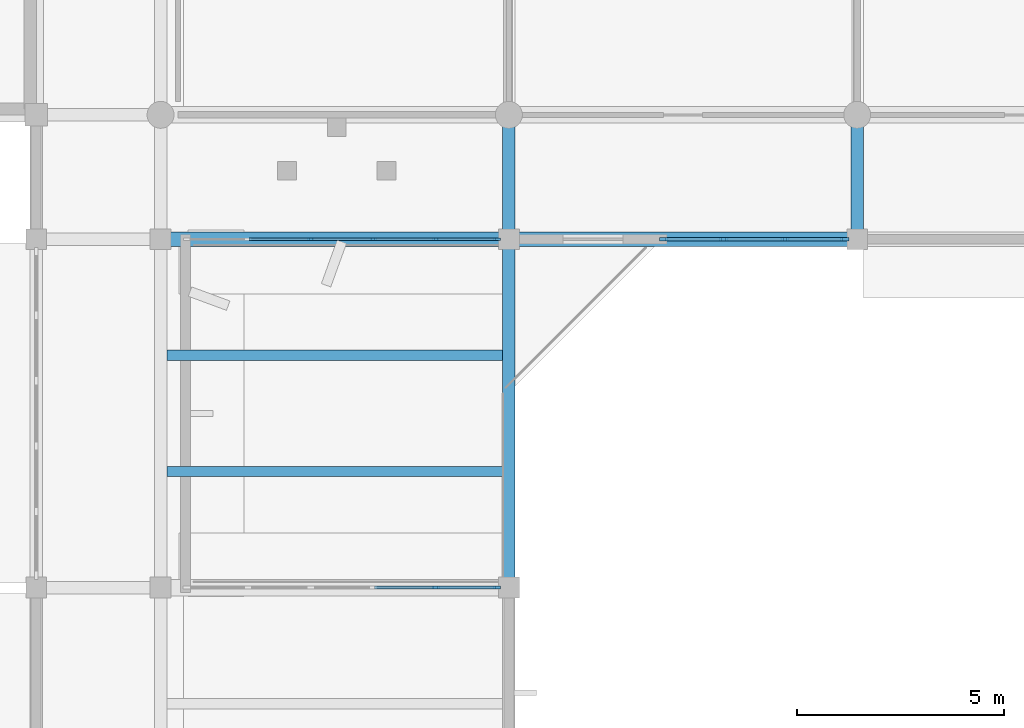
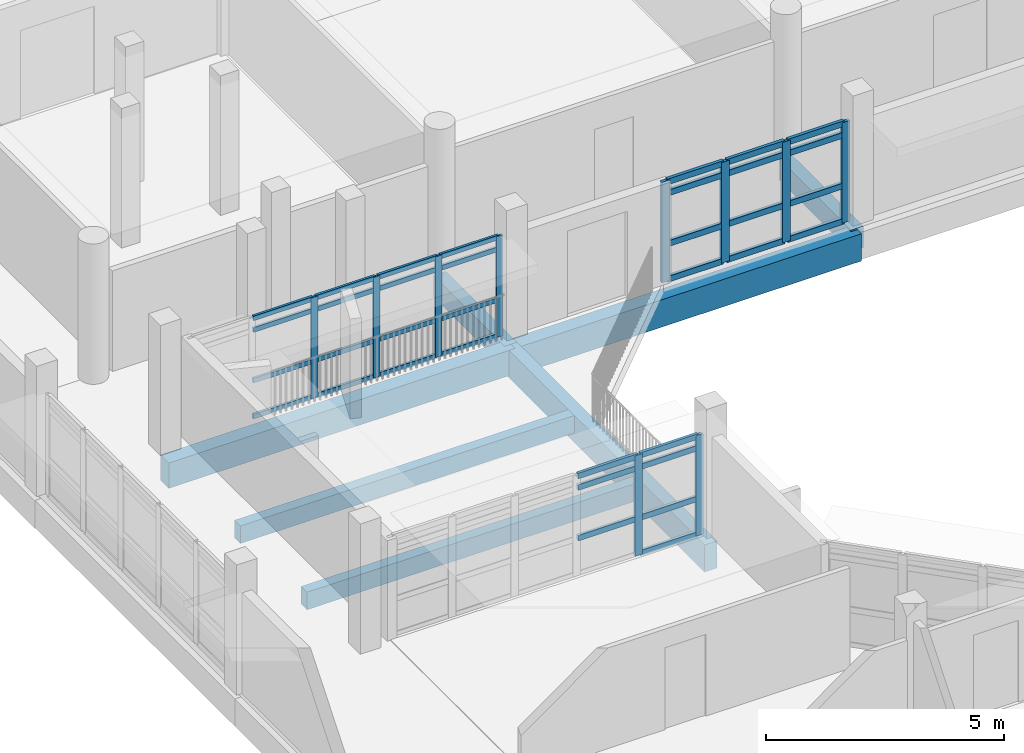
# One storey, part 18 of 92: 45 members, 7 beams, 3 elements without a shape of their own.
"""IFC4 building model written with IfcOpenShell, lengths in metres."""

from ifc_helpers import new_model, si_unit, direction, frame, origin, origin_2d, place, context, subcontext, project, spatial, rectangle, extrude, material, material_profile, profile_set, type_object, element, aggregate, save


model = new_model("IFC4")

# Units and contexts
model_context = context("Model", 3, precision=1e-05, world=origin(), true_north=direction((0.0, 1.0)))
body_context = subcontext(model_context, "Body", "Model", "MODEL_VIEW")
ifc_project = project(units=[si_unit("LENGTHUNIT", "METRE"), si_unit("AREAUNIT", "SQUARE_METRE"), si_unit("VOLUMEUNIT", "CUBIC_METRE"), si_unit("PLANEANGLEUNIT", "RADIAN"), si_unit("MASSUNIT", "GRAM", prefix="KILO")], contexts=[model_context])

# Site, building, storey
site_placement = place(None, origin())
site = spatial("IfcSite", under=ifc_project, at=site_placement, CompositionType="ELEMENT")
building_placement = place(site_placement, origin())
building = spatial("IfcBuilding", under=site, at=building_placement, Name="Vanh Quang Courtyard School", CompositionType="ELEMENT")
storey_placement = place(building_placement, frame((0.0, 0.0, 7.800048828125)))
storey = spatial("IfcBuildingStorey", under=building, at=storey_placement, Name="L02", CompositionType="ELEMENT", Elevation=7.800048828125)

# Beams
ifc_material_1 = material(Name="Concrete C35/45", Category="concrete")
ifc_material_profile_1 = material_profile(ifc_material_1, rectangle(XDim=0.300048828125, YDim=0.550048828125, at=origin_2d()), Name="RC-BM 300x550")
ifc_profile_set_1 = profile_set([ifc_material_profile_1], Name="Concrete C35/45")
beam_type_1 = type_object("IfcBeamType", Name="BM-RC-300x550", PredefinedType="BEAM", material=ifc_profile_set_1)
for number, where, z_axis, x_axis, name in (
    (1, (85.800048828125, 29.39990234375, -0.594970703125), (0.0, 1.0, 0.0), (-1.0, 0.0, 0.0), "Beam B-07 (L02)"),
    (2, (94.199951171875, 29.39990234375, -0.554931640625), (0.0, 1.0, 0.0), (-1.0, 0.0, 0.0), "Beam B-07 (L02)"),
):
    element("IfcBeam", number, at=place(storey_placement, frame(where, z_axis=z_axis, x_axis=x_axis)), inside=storey, type_object=beam_type_1, Name=name, PredefinedType="BEAM", context=body_context, shape_type="SweptSolid", body=[
        extrude(rectangle(XDim=0.300048828125, YDim=0.550048828125, at=origin_2d()), origin(), (0.0, 0.0, 1.0), 3.0),
    ])
ifc_material_profile_2 = material_profile(ifc_material_1, rectangle(XDim=0.35009765625, YDim=0.64990234375, at=origin_2d()), Name="RC-BM 350x650")
ifc_profile_set_2 = profile_set([ifc_material_profile_2], Name="Concrete C35/45")
beam_type_2 = type_object("IfcBeamType", Name="BM-RC-350x650", PredefinedType="BEAM", material=ifc_profile_set_2)
beam_1_placement = place(storey_placement, frame((77.39990234375, 29.39990234375, -0.64501953125), z_axis=(1.0, 0.0, 0.0), x_axis=(0.0, 1.0, 0.0)))
element("IfcBeam", 3, at=beam_1_placement, inside=storey, type_object=beam_type_2, Name="Beam B-05 (L02)", PredefinedType="BEAM", context=body_context, shape_type="SweptSolid", body=[
    extrude(rectangle(XDim=0.35009765625, YDim=0.64990234375, at=origin_2d()), origin(), (0.0, 0.0, 1.0), 8.400146484375),
])
ifc_material_profile_3 = material_profile(ifc_material_1, rectangle(XDim=0.35009765625, YDim=0.699951171875, at=origin_2d()), Name="RC-BM 350x700")
ifc_profile_set_3 = profile_set([ifc_material_profile_3], Name="Concrete C35/45")
beam_type_3 = type_object("IfcBeamType", Name="BM-RC-350x700", PredefinedType="BEAM", material=ifc_profile_set_3)
beam_2_placement = place(storey_placement, frame((85.800048828125, 29.39990234375, -0.670166015625), z_axis=(1.0, 0.0, 0.0), x_axis=(0.0, 1.0, 0.0)))
element("IfcBeam", 4, at=beam_2_placement, inside=storey, type_object=beam_type_3, Name="Beam B-04 (L02)", PredefinedType="BEAM", context=body_context, shape_type="SweptSolid", body=[
    extrude(rectangle(XDim=0.35009765625, YDim=0.699951171875, at=origin_2d()), origin(), (0.0, 0.0, 1.0), 8.39990234375),
])
ifc_material_profile_4 = material_profile(ifc_material_1, rectangle(XDim=0.300048828125, YDim=0.699951171875, at=origin_2d()), Name="RC-SP 300x700")
ifc_profile_set_4 = profile_set([ifc_material_profile_4], Name="Concrete C35/45")
beam_type_4 = type_object("IfcBeamType", Name="BM-SP-300x700", PredefinedType="SPANDREL", material=ifc_profile_set_4)
beam_3_placement = place(storey_placement, frame((85.800048828125, 21.0, -0.670166015625), z_axis=(0.0, 1.0, 0.0), x_axis=(-1.0, 0.0, 0.0)))
element("IfcBeam", 5, at=beam_3_placement, inside=storey, type_object=beam_type_4, Name="Beam BS-01 (L02)", PredefinedType="SPANDREL", context=body_context, shape_type="SweptSolid", body=[
    extrude(rectangle(XDim=0.300048828125, YDim=0.699951171875, at=origin_2d()), origin(), (0.0, 0.0, 1.0), 8.39990234375),
])

# Curtain wall, members
ifc_material_2 = material(Name="Thermally broken aluminium unitised curtain wall", Category="aluminium")
curtain_wall_type_1 = type_object("IfcCurtainWallType", Name="CW-SYS-47", PredefinedType="NOTDEFINED", material=ifc_material_2)
curtain_wall_1_placement = place(storey_placement, origin())
curtain_wall_1 = element("IfcCurtainWall", 6, at=curtain_wall_1_placement, inside=storey, type_object=curtain_wall_type_1, Name="Curtain Wall CW-47 (L02)", PredefinedType="NOTDEFINED")
ifc_material_3 = material(Name="Anodised aluminium 6063-T6", Category="aluminium")
ifc_material_profile_5 = material_profile(ifc_material_3, rectangle(XDim=0.06005859375, YDim=0.159912109375, at=origin_2d()), Name="ALU-MUL 60x160")
ifc_profile_set_5 = profile_set([ifc_material_profile_5], Name="Anodised aluminium 6063-T6")
member_type_1 = type_object("IfcMemberType", Name="CW-MUL-60x160", PredefinedType="MULLION", material=ifc_profile_set_5)
member_1_placement = place(storey_placement, frame((85.511962890625, 29.39990234375, 0.0), z_axis=(0.0, 0.0, 1.0), x_axis=(0.0, -1.0, 0.0)))
member_1 = element("IfcMember", 7, at=member_1_placement, type_object=member_type_1, Name="CW-47 mullion 1", PredefinedType="MULLION", context=body_context, shape_type="SweptSolid", body=[
    extrude(rectangle(XDim=0.06005859375, YDim=0.159912109375, at=origin_2d()), origin(), (0.0, 0.0, 1.0), 2.579833984375),
])
member_2_placement = place(storey_placement, frame((84.03369140625, 29.39990234375, 0.0), z_axis=(0.0, 0.0, 1.0), x_axis=(0.0, -1.0, 0.0)))
member_2 = element("IfcMember", 8, at=member_2_placement, type_object=member_type_1, Name="CW-47 mullion 2", PredefinedType="MULLION", context=body_context, shape_type="SweptSolid", body=[
    extrude(rectangle(XDim=0.06005859375, YDim=0.159912109375, at=origin_2d()), origin(), (0.0, 0.0, 1.0), 2.579833984375),
])
member_3_placement = place(storey_placement, frame((82.525146484375, 29.39990234375, 0.0), z_axis=(0.0, 0.0, 1.0), x_axis=(0.0, -1.0, 0.0)))
member_3 = element("IfcMember", 9, at=member_3_placement, type_object=member_type_1, Name="CW-47 mullion 3", PredefinedType="MULLION", context=body_context, shape_type="SweptSolid", body=[
    extrude(rectangle(XDim=0.06005859375, YDim=0.159912109375, at=origin_2d()), origin(), (0.0, 0.0, 1.0), 2.579833984375),
])
member_4_placement = place(storey_placement, frame((81.016845703125, 29.39990234375, 0.0), z_axis=(0.0, 0.0, 1.0), x_axis=(0.0, -1.0, 0.0)))
member_4 = element("IfcMember", 10, at=member_4_placement, type_object=member_type_1, Name="CW-47 mullion 4", PredefinedType="MULLION", context=body_context, shape_type="SweptSolid", body=[
    extrude(rectangle(XDim=0.06005859375, YDim=0.159912109375, at=origin_2d()), origin(), (0.0, 0.0, 1.0), 2.579833984375),
])

curtain_wall_2_placement = place(storey_placement, origin())
curtain_wall_2 = element("IfcCurtainWall", 11, at=curtain_wall_2_placement, inside=storey, type_object=curtain_wall_type_1, Name="Curtain Wall CW-47 (L02)", PredefinedType="NOTDEFINED")
ifc_material_profile_6 = material_profile(ifc_material_3, rectangle(XDim=0.070068359375, YDim=0.179931640625, at=origin_2d()), Name="ALU-MUL 70x180")
ifc_profile_set_6 = profile_set([ifc_material_profile_6], Name="Anodised aluminium 6063-T6")
member_type_2 = type_object("IfcMemberType", Name="CW-MUL-70x180", PredefinedType="MULLION", material=ifc_profile_set_6)
member_5_placement = place(storey_placement, frame((84.03369140625, 21.0, 0.0), z_axis=(0.0, 0.0, 1.0), x_axis=(0.0, 1.0, 0.0)))
member_5 = element("IfcMember", 12, at=member_5_placement, type_object=member_type_2, Name="CW-47 mullion 5", PredefinedType="MULLION", context=body_context, shape_type="SweptSolid", body=[
    extrude(rectangle(XDim=0.070068359375, YDim=0.179931640625, at=origin_2d()), origin(), (0.0, 0.0, 1.0), 2.579833984375),
])
member_6_placement = place(storey_placement, frame((85.507080078125, 21.0, 0.0), z_axis=(0.0, 0.0, 1.0), x_axis=(0.0, 1.0, 0.0)))
member_6 = element("IfcMember", 13, at=member_6_placement, type_object=member_type_2, Name="CW-47 mullion 6", PredefinedType="MULLION", context=body_context, shape_type="SweptSolid", body=[
    extrude(rectangle(XDim=0.070068359375, YDim=0.179931640625, at=origin_2d()), origin(), (0.0, 0.0, 1.0), 2.579833984375),
])

curtain_wall_type_2 = type_object("IfcCurtainWallType", Name="CW-SYS-38", PredefinedType="NOTDEFINED", material=ifc_material_2)
curtain_wall_3_placement = place(storey_placement, origin())
curtain_wall_3 = element("IfcCurtainWall", 14, at=curtain_wall_3_placement, inside=storey, type_object=curtain_wall_type_2, Name="Curtain Wall CW-38 (L02)", PredefinedType="NOTDEFINED")
ifc_material_profile_7 = material_profile(ifc_material_3, rectangle(XDim=0.080078125, YDim=0.199951171875, at=origin_2d()), Name="ALU-MUL 80x200")
ifc_profile_set_7 = profile_set([ifc_material_profile_7], Name="Anodised aluminium 6063-T6")
member_type_3 = type_object("IfcMemberType", Name="CW-MUL-80x200", PredefinedType="MULLION", material=ifc_profile_set_7)
member_7_placement = place(storey_placement, frame((93.902099609375, 29.39990234375, 0.0), z_axis=(0.0, 0.0, 1.0), x_axis=(0.0, -1.0, 0.0)))
member_7 = element("IfcMember", 15, at=member_7_placement, type_object=member_type_3, Name="CW-38 mullion 1", PredefinedType="MULLION", context=body_context, shape_type="SweptSolid", body=[
    extrude(rectangle(XDim=0.080078125, YDim=0.199951171875, at=origin_2d()), origin(), (0.0, 0.0, 1.0), 2.579833984375),
])
member_8_placement = place(storey_placement, frame((92.4599609375, 29.39990234375, 0.0), z_axis=(0.0, 0.0, 1.0), x_axis=(0.0, -1.0, 0.0)))
member_8 = element("IfcMember", 16, at=member_8_placement, type_object=member_type_3, Name="CW-38 mullion 2", PredefinedType="MULLION", context=body_context, shape_type="SweptSolid", body=[
    extrude(rectangle(XDim=0.080078125, YDim=0.199951171875, at=origin_2d()), origin(), (0.0, 0.0, 1.0), 2.579833984375),
])
member_9_placement = place(storey_placement, frame((90.97802734375, 29.39990234375, 0.0), z_axis=(0.0, 0.0, 1.0), x_axis=(0.0, -1.0, 0.0)))
member_9 = element("IfcMember", 17, at=member_9_placement, type_object=member_type_3, Name="CW-38 mullion 3", PredefinedType="MULLION", context=body_context, shape_type="SweptSolid", body=[
    extrude(rectangle(XDim=0.080078125, YDim=0.199951171875, at=origin_2d()), origin(), (0.0, 0.0, 1.0), 2.579833984375),
])
member_10_placement = place(storey_placement, frame((89.535888671875, 29.39990234375, 0.0), z_axis=(0.0, 0.0, 1.0), x_axis=(0.0, -1.0, 0.0)))
member_10 = element("IfcMember", 18, at=member_10_placement, type_object=member_type_3, Name="CW-38 mullion 4", PredefinedType="MULLION", context=body_context, shape_type="SweptSolid", body=[
    extrude(rectangle(XDim=0.080078125, YDim=0.199951171875, at=origin_2d()), origin(), (0.0, 0.0, 1.0), 2.579833984375),
])

# Member
ifc_material_profile_8 = material_profile(ifc_material_3, rectangle(XDim=0.06005859375, YDim=0.1201171875, at=origin_2d()), Name="ALU-TRN 60x120")
ifc_profile_set_8 = profile_set([ifc_material_profile_8], Name="Anodised aluminium 6063-T6")
member_type_4 = type_object("IfcMemberType", Name="CW-TRN-60x120", PredefinedType="USERDEFINED", material=ifc_profile_set_8)
member_11_placement = place(storey_placement, frame((85.48193359375, 29.39990234375, 0.030029296875), z_axis=(-1.0, 0.0, 0.0), x_axis=(0.0, -1.0, 0.0)))
member_11 = element("IfcMember", 19, at=member_11_placement, type_object=member_type_4, Name="CW-47 transom 1.1", ObjectType="TRANSOM", PredefinedType="USERDEFINED", context=body_context, shape_type="SweptSolid", body=[
    extrude(rectangle(XDim=0.06005859375, YDim=0.1201171875, at=origin_2d()), origin(), (0.0, 0.0, 1.0), 1.418212890625),
])

member_12_placement = place(storey_placement, frame((85.48193359375, 29.39990234375, 0.949951171875), z_axis=(-1.0, 0.0, 0.0), x_axis=(0.0, -1.0, 0.0)))
member_12 = element("IfcMember", 20, at=member_12_placement, type_object=member_type_4, Name="CW-47 transom 1.2", ObjectType="TRANSOM", PredefinedType="USERDEFINED", context=body_context, shape_type="SweptSolid", body=[
    extrude(rectangle(XDim=0.06005859375, YDim=0.1201171875, at=origin_2d()), origin(), (0.0, 0.0, 1.0), 1.418212890625),
])

member_13_placement = place(storey_placement, frame((85.48193359375, 29.39990234375, 2.25), z_axis=(-1.0, 0.0, 0.0), x_axis=(0.0, -1.0, 0.0)))
member_13 = element("IfcMember", 21, at=member_13_placement, type_object=member_type_4, Name="CW-47 transom 1.3", ObjectType="TRANSOM", PredefinedType="USERDEFINED", context=body_context, shape_type="SweptSolid", body=[
    extrude(rectangle(XDim=0.06005859375, YDim=0.1201171875, at=origin_2d()), origin(), (0.0, 0.0, 1.0), 1.418212890625),
])

member_14_placement = place(storey_placement, frame((85.48193359375, 29.39990234375, 2.550048828125), z_axis=(-1.0, 0.0, 0.0), x_axis=(0.0, -1.0, 0.0)))
member_14 = element("IfcMember", 22, at=member_14_placement, type_object=member_type_4, Name="CW-47 transom 1.4", ObjectType="TRANSOM", PredefinedType="USERDEFINED", context=body_context, shape_type="SweptSolid", body=[
    extrude(rectangle(XDim=0.06005859375, YDim=0.1201171875, at=origin_2d()), origin(), (0.0, 0.0, 1.0), 1.418212890625),
])

member_15_placement = place(storey_placement, frame((84.003662109375, 29.39990234375, 0.030029296875), z_axis=(-1.0, 0.0, 0.0), x_axis=(0.0, -1.0, 0.0)))
member_15 = element("IfcMember", 23, at=member_15_placement, type_object=member_type_4, Name="CW-47 transom 2.1", ObjectType="TRANSOM", PredefinedType="USERDEFINED", context=body_context, shape_type="SweptSolid", body=[
    extrude(rectangle(XDim=0.06005859375, YDim=0.1201171875, at=origin_2d()), origin(), (0.0, 0.0, 1.0), 1.448486328125),
])

member_16_placement = place(storey_placement, frame((84.003662109375, 29.39990234375, 0.949951171875), z_axis=(-1.0, 0.0, 0.0), x_axis=(0.0, -1.0, 0.0)))
member_16 = element("IfcMember", 24, at=member_16_placement, type_object=member_type_4, Name="CW-47 transom 2.2", ObjectType="TRANSOM", PredefinedType="USERDEFINED", context=body_context, shape_type="SweptSolid", body=[
    extrude(rectangle(XDim=0.06005859375, YDim=0.1201171875, at=origin_2d()), origin(), (0.0, 0.0, 1.0), 1.448486328125),
])

member_17_placement = place(storey_placement, frame((84.003662109375, 29.39990234375, 2.25), z_axis=(-1.0, 0.0, 0.0), x_axis=(0.0, -1.0, 0.0)))
member_17 = element("IfcMember", 25, at=member_17_placement, type_object=member_type_4, Name="CW-47 transom 2.3", ObjectType="TRANSOM", PredefinedType="USERDEFINED", context=body_context, shape_type="SweptSolid", body=[
    extrude(rectangle(XDim=0.06005859375, YDim=0.1201171875, at=origin_2d()), origin(), (0.0, 0.0, 1.0), 1.448486328125),
])

member_18_placement = place(storey_placement, frame((84.003662109375, 29.39990234375, 2.550048828125), z_axis=(-1.0, 0.0, 0.0), x_axis=(0.0, -1.0, 0.0)))
member_18 = element("IfcMember", 26, at=member_18_placement, type_object=member_type_4, Name="CW-47 transom 2.4", ObjectType="TRANSOM", PredefinedType="USERDEFINED", context=body_context, shape_type="SweptSolid", body=[
    extrude(rectangle(XDim=0.06005859375, YDim=0.1201171875, at=origin_2d()), origin(), (0.0, 0.0, 1.0), 1.448486328125),
])

member_19_placement = place(storey_placement, frame((82.4951171875, 29.39990234375, 0.030029296875), z_axis=(-1.0, 0.0, 0.0), x_axis=(0.0, -1.0, 0.0)))
member_19 = element("IfcMember", 27, at=member_19_placement, type_object=member_type_4, Name="CW-47 transom 3.1", ObjectType="TRANSOM", PredefinedType="USERDEFINED", context=body_context, shape_type="SweptSolid", body=[
    extrude(rectangle(XDim=0.06005859375, YDim=0.1201171875, at=origin_2d()), origin(), (0.0, 0.0, 1.0), 1.4482421875),
])

member_20_placement = place(storey_placement, frame((82.4951171875, 29.39990234375, 0.949951171875), z_axis=(-1.0, 0.0, 0.0), x_axis=(0.0, -1.0, 0.0)))
member_20 = element("IfcMember", 28, at=member_20_placement, type_object=member_type_4, Name="CW-47 transom 3.2", ObjectType="TRANSOM", PredefinedType="USERDEFINED", context=body_context, shape_type="SweptSolid", body=[
    extrude(rectangle(XDim=0.06005859375, YDim=0.1201171875, at=origin_2d()), origin(), (0.0, 0.0, 1.0), 1.4482421875),
])

member_21_placement = place(storey_placement, frame((82.4951171875, 29.39990234375, 2.25), z_axis=(-1.0, 0.0, 0.0), x_axis=(0.0, -1.0, 0.0)))
member_21 = element("IfcMember", 29, at=member_21_placement, type_object=member_type_4, Name="CW-47 transom 3.3", ObjectType="TRANSOM", PredefinedType="USERDEFINED", context=body_context, shape_type="SweptSolid", body=[
    extrude(rectangle(XDim=0.06005859375, YDim=0.1201171875, at=origin_2d()), origin(), (0.0, 0.0, 1.0), 1.4482421875),
])

member_22_placement = place(storey_placement, frame((82.4951171875, 29.39990234375, 2.550048828125), z_axis=(-1.0, 0.0, 0.0), x_axis=(0.0, -1.0, 0.0)))
member_22 = element("IfcMember", 30, at=member_22_placement, type_object=member_type_4, Name="CW-47 transom 3.4", ObjectType="TRANSOM", PredefinedType="USERDEFINED", context=body_context, shape_type="SweptSolid", body=[
    extrude(rectangle(XDim=0.06005859375, YDim=0.1201171875, at=origin_2d()), origin(), (0.0, 0.0, 1.0), 1.4482421875),
])

member_23_placement = place(storey_placement, frame((80.98681640625, 29.39990234375, 0.030029296875), z_axis=(-1.0, 0.0, 0.0), x_axis=(0.0, -1.0, 0.0)))
member_23 = element("IfcMember", 31, at=member_23_placement, type_object=member_type_4, Name="CW-47 transom 4.1", ObjectType="TRANSOM", PredefinedType="USERDEFINED", context=body_context, shape_type="SweptSolid", body=[
    extrude(rectangle(XDim=0.06005859375, YDim=0.1201171875, at=origin_2d()), origin(), (0.0, 0.0, 1.0), 1.448486328125),
])

member_24_placement = place(storey_placement, frame((80.98681640625, 29.39990234375, 0.949951171875), z_axis=(-1.0, 0.0, 0.0), x_axis=(0.0, -1.0, 0.0)))
member_24 = element("IfcMember", 32, at=member_24_placement, type_object=member_type_4, Name="CW-47 transom 4.2", ObjectType="TRANSOM", PredefinedType="USERDEFINED", context=body_context, shape_type="SweptSolid", body=[
    extrude(rectangle(XDim=0.06005859375, YDim=0.1201171875, at=origin_2d()), origin(), (0.0, 0.0, 1.0), 1.448486328125),
])

member_25_placement = place(storey_placement, frame((80.98681640625, 29.39990234375, 2.25), z_axis=(-1.0, 0.0, 0.0), x_axis=(0.0, -1.0, 0.0)))
member_25 = element("IfcMember", 33, at=member_25_placement, type_object=member_type_4, Name="CW-47 transom 4.3", ObjectType="TRANSOM", PredefinedType="USERDEFINED", context=body_context, shape_type="SweptSolid", body=[
    extrude(rectangle(XDim=0.06005859375, YDim=0.1201171875, at=origin_2d()), origin(), (0.0, 0.0, 1.0), 1.448486328125),
])

member_26_placement = place(storey_placement, frame((80.98681640625, 29.39990234375, 2.550048828125), z_axis=(-1.0, 0.0, 0.0), x_axis=(0.0, -1.0, 0.0)))
member_26 = element("IfcMember", 34, at=member_26_placement, type_object=member_type_4, Name="CW-47 transom 4.4", ObjectType="TRANSOM", PredefinedType="USERDEFINED", context=body_context, shape_type="SweptSolid", body=[
    extrude(rectangle(XDim=0.06005859375, YDim=0.1201171875, at=origin_2d()), origin(), (0.0, 0.0, 1.0), 1.448486328125),
])

aggregate(curtain_wall_1, [member_1, member_2, member_3, member_4, member_11, member_12, member_13, member_14, member_15, member_16, member_17, member_18, member_19, member_20, member_21, member_22, member_23, member_24, member_25, member_26])

ifc_material_profile_9 = material_profile(ifc_material_3, rectangle(XDim=0.070068359375, YDim=0.139892578125, at=origin_2d()), Name="ALU-TRN 70x140")
ifc_profile_set_9 = profile_set([ifc_material_profile_9], Name="Anodised aluminium 6063-T6")
member_type_5 = type_object("IfcMemberType", Name="CW-TRN-70x140", PredefinedType="USERDEFINED", material=ifc_profile_set_9)
member_27_placement = place(storey_placement, frame((82.560302734375, 21.0, 0.949951171875), z_axis=(1.0, 0.0, 0.0), x_axis=(0.0, 1.0, 0.0)))
member_27 = element("IfcMember", 35, at=member_27_placement, type_object=member_type_5, Name="CW-47 transom 4.2", ObjectType="TRANSOM", PredefinedType="USERDEFINED", context=body_context, shape_type="SweptSolid", body=[
    extrude(rectangle(XDim=0.070068359375, YDim=0.139892578125, at=origin_2d()), origin(), (0.0, 0.0, 1.0), 1.438232421875),
])

member_28_placement = place(storey_placement, frame((82.560302734375, 21.0, 2.25), z_axis=(1.0, 0.0, 0.0), x_axis=(0.0, 1.0, 0.0)))
member_28 = element("IfcMember", 36, at=member_28_placement, type_object=member_type_5, Name="CW-47 transom 4.3", ObjectType="TRANSOM", PredefinedType="USERDEFINED", context=body_context, shape_type="SweptSolid", body=[
    extrude(rectangle(XDim=0.070068359375, YDim=0.139892578125, at=origin_2d()), origin(), (0.0, 0.0, 1.0), 1.438232421875),
])

member_29_placement = place(storey_placement, frame((82.560302734375, 21.0, 2.544921875), z_axis=(1.0, 0.0, 0.0), x_axis=(0.0, 1.0, 0.0)))
member_29 = element("IfcMember", 37, at=member_29_placement, type_object=member_type_5, Name="CW-47 transom 4.4", ObjectType="TRANSOM", PredefinedType="USERDEFINED", context=body_context, shape_type="SweptSolid", body=[
    extrude(rectangle(XDim=0.070068359375, YDim=0.139892578125, at=origin_2d()), origin(), (0.0, 0.0, 1.0), 1.438232421875),
])

member_30_placement = place(storey_placement, frame((84.068603515625, 21.0, 0.034912109375), z_axis=(1.0, 0.0, 0.0), x_axis=(0.0, 1.0, 0.0)))
member_30 = element("IfcMember", 38, at=member_30_placement, type_object=member_type_5, Name="CW-47 transom 5.1", ObjectType="TRANSOM", PredefinedType="USERDEFINED", context=body_context, shape_type="SweptSolid", body=[
    extrude(rectangle(XDim=0.070068359375, YDim=0.139892578125, at=origin_2d()), origin(), (0.0, 0.0, 1.0), 1.4033203125),
])

member_31_placement = place(storey_placement, frame((84.068603515625, 21.0, 0.949951171875), z_axis=(1.0, 0.0, 0.0), x_axis=(0.0, 1.0, 0.0)))
member_31 = element("IfcMember", 39, at=member_31_placement, type_object=member_type_5, Name="CW-47 transom 5.2", ObjectType="TRANSOM", PredefinedType="USERDEFINED", context=body_context, shape_type="SweptSolid", body=[
    extrude(rectangle(XDim=0.070068359375, YDim=0.139892578125, at=origin_2d()), origin(), (0.0, 0.0, 1.0), 1.4033203125),
])

member_32_placement = place(storey_placement, frame((84.068603515625, 21.0, 2.25), z_axis=(1.0, 0.0, 0.0), x_axis=(0.0, 1.0, 0.0)))
member_32 = element("IfcMember", 40, at=member_32_placement, type_object=member_type_5, Name="CW-47 transom 5.3", ObjectType="TRANSOM", PredefinedType="USERDEFINED", context=body_context, shape_type="SweptSolid", body=[
    extrude(rectangle(XDim=0.070068359375, YDim=0.139892578125, at=origin_2d()), origin(), (0.0, 0.0, 1.0), 1.4033203125),
])

member_33_placement = place(storey_placement, frame((84.068603515625, 21.0, 2.544921875), z_axis=(1.0, 0.0, 0.0), x_axis=(0.0, 1.0, 0.0)))
member_33 = element("IfcMember", 41, at=member_33_placement, type_object=member_type_5, Name="CW-47 transom 5.4", ObjectType="TRANSOM", PredefinedType="USERDEFINED", context=body_context, shape_type="SweptSolid", body=[
    extrude(rectangle(XDim=0.070068359375, YDim=0.139892578125, at=origin_2d()), origin(), (0.0, 0.0, 1.0), 1.4033203125),
])

aggregate(curtain_wall_2, [member_5, member_6, member_27, member_28, member_29, member_30, member_31, member_32, member_33])

ifc_material_profile_10 = material_profile(ifc_material_3, rectangle(XDim=0.080078125, YDim=0.14990234375, at=origin_2d()), Name="ALU-TRN 80x150")
ifc_profile_set_10 = profile_set([ifc_material_profile_10], Name="Anodised aluminium 6063-T6")
member_type_6 = type_object("IfcMemberType", Name="CW-TRN-80x150", PredefinedType="USERDEFINED", material=ifc_profile_set_10)
member_34_placement = place(storey_placement, frame((93.862060546875, 29.39990234375, 0.0400390625), z_axis=(-1.0, 0.0, 0.0), x_axis=(0.0, -1.0, 0.0)))
member_34 = element("IfcMember", 42, at=member_34_placement, type_object=member_type_6, Name="CW-38 transom 1.1", ObjectType="TRANSOM", PredefinedType="USERDEFINED", context=body_context, shape_type="SweptSolid", body=[
    extrude(rectangle(XDim=0.080078125, YDim=0.14990234375, at=origin_2d()), origin(), (0.0, 0.0, 1.0), 1.362060546875),
])

member_35_placement = place(storey_placement, frame((93.862060546875, 29.39990234375, 0.949951171875), z_axis=(-1.0, 0.0, 0.0), x_axis=(0.0, -1.0, 0.0)))
member_35 = element("IfcMember", 43, at=member_35_placement, type_object=member_type_6, Name="CW-38 transom 1.2", ObjectType="TRANSOM", PredefinedType="USERDEFINED", context=body_context, shape_type="SweptSolid", body=[
    extrude(rectangle(XDim=0.080078125, YDim=0.14990234375, at=origin_2d()), origin(), (0.0, 0.0, 1.0), 1.362060546875),
])

member_36_placement = place(storey_placement, frame((93.862060546875, 29.39990234375, 2.25), z_axis=(-1.0, 0.0, 0.0), x_axis=(0.0, -1.0, 0.0)))
member_36 = element("IfcMember", 44, at=member_36_placement, type_object=member_type_6, Name="CW-38 transom 1.3", ObjectType="TRANSOM", PredefinedType="USERDEFINED", context=body_context, shape_type="SweptSolid", body=[
    extrude(rectangle(XDim=0.080078125, YDim=0.14990234375, at=origin_2d()), origin(), (0.0, 0.0, 1.0), 1.362060546875),
])

member_37_placement = place(storey_placement, frame((93.862060546875, 29.39990234375, 2.5400390625), z_axis=(-1.0, 0.0, 0.0), x_axis=(0.0, -1.0, 0.0)))
member_37 = element("IfcMember", 45, at=member_37_placement, type_object=member_type_6, Name="CW-38 transom 1.4", ObjectType="TRANSOM", PredefinedType="USERDEFINED", context=body_context, shape_type="SweptSolid", body=[
    extrude(rectangle(XDim=0.080078125, YDim=0.14990234375, at=origin_2d()), origin(), (0.0, 0.0, 1.0), 1.362060546875),
])

member_38_placement = place(storey_placement, frame((92.419921875, 29.39990234375, 0.0400390625), z_axis=(-1.0, 0.0, 0.0), x_axis=(0.0, -1.0, 0.0)))
member_38 = element("IfcMember", 46, at=member_38_placement, type_object=member_type_6, Name="CW-38 transom 2.1", ObjectType="TRANSOM", PredefinedType="USERDEFINED", context=body_context, shape_type="SweptSolid", body=[
    extrude(rectangle(XDim=0.080078125, YDim=0.14990234375, at=origin_2d()), origin(), (0.0, 0.0, 1.0), 1.40185546875),
])

member_39_placement = place(storey_placement, frame((92.419921875, 29.39990234375, 0.949951171875), z_axis=(-1.0, 0.0, 0.0), x_axis=(0.0, -1.0, 0.0)))
member_39 = element("IfcMember", 47, at=member_39_placement, type_object=member_type_6, Name="CW-38 transom 2.2", ObjectType="TRANSOM", PredefinedType="USERDEFINED", context=body_context, shape_type="SweptSolid", body=[
    extrude(rectangle(XDim=0.080078125, YDim=0.14990234375, at=origin_2d()), origin(), (0.0, 0.0, 1.0), 1.40185546875),
])

member_40_placement = place(storey_placement, frame((92.419921875, 29.39990234375, 2.25), z_axis=(-1.0, 0.0, 0.0), x_axis=(0.0, -1.0, 0.0)))
member_40 = element("IfcMember", 48, at=member_40_placement, type_object=member_type_6, Name="CW-38 transom 2.3", ObjectType="TRANSOM", PredefinedType="USERDEFINED", context=body_context, shape_type="SweptSolid", body=[
    extrude(rectangle(XDim=0.080078125, YDim=0.14990234375, at=origin_2d()), origin(), (0.0, 0.0, 1.0), 1.40185546875),
])

member_41_placement = place(storey_placement, frame((92.419921875, 29.39990234375, 2.5400390625), z_axis=(-1.0, 0.0, 0.0), x_axis=(0.0, -1.0, 0.0)))
member_41 = element("IfcMember", 49, at=member_41_placement, type_object=member_type_6, Name="CW-38 transom 2.4", ObjectType="TRANSOM", PredefinedType="USERDEFINED", context=body_context, shape_type="SweptSolid", body=[
    extrude(rectangle(XDim=0.080078125, YDim=0.14990234375, at=origin_2d()), origin(), (0.0, 0.0, 1.0), 1.40185546875),
])

member_42_placement = place(storey_placement, frame((90.93798828125, 29.39990234375, 0.0400390625), z_axis=(-1.0, 0.0, 0.0), x_axis=(0.0, -1.0, 0.0)))
member_42 = element("IfcMember", 50, at=member_42_placement, type_object=member_type_6, Name="CW-38 transom 3.1", ObjectType="TRANSOM", PredefinedType="USERDEFINED", context=body_context, shape_type="SweptSolid", body=[
    extrude(rectangle(XDim=0.080078125, YDim=0.14990234375, at=origin_2d()), origin(), (0.0, 0.0, 1.0), 1.362060546875),
])

member_43_placement = place(storey_placement, frame((90.93798828125, 29.39990234375, 0.949951171875), z_axis=(-1.0, 0.0, 0.0), x_axis=(0.0, -1.0, 0.0)))
member_43 = element("IfcMember", 51, at=member_43_placement, type_object=member_type_6, Name="CW-38 transom 3.2", ObjectType="TRANSOM", PredefinedType="USERDEFINED", context=body_context, shape_type="SweptSolid", body=[
    extrude(rectangle(XDim=0.080078125, YDim=0.14990234375, at=origin_2d()), origin(), (0.0, 0.0, 1.0), 1.362060546875),
])

member_44_placement = place(storey_placement, frame((90.93798828125, 29.39990234375, 2.25), z_axis=(-1.0, 0.0, 0.0), x_axis=(0.0, -1.0, 0.0)))
member_44 = element("IfcMember", 52, at=member_44_placement, type_object=member_type_6, Name="CW-38 transom 3.3", ObjectType="TRANSOM", PredefinedType="USERDEFINED", context=body_context, shape_type="SweptSolid", body=[
    extrude(rectangle(XDim=0.080078125, YDim=0.14990234375, at=origin_2d()), origin(), (0.0, 0.0, 1.0), 1.362060546875),
])

member_45_placement = place(storey_placement, frame((90.93798828125, 29.39990234375, 2.5400390625), z_axis=(-1.0, 0.0, 0.0), x_axis=(0.0, -1.0, 0.0)))
member_45 = element("IfcMember", 53, at=member_45_placement, type_object=member_type_6, Name="CW-38 transom 3.4", ObjectType="TRANSOM", PredefinedType="USERDEFINED", context=body_context, shape_type="SweptSolid", body=[
    extrude(rectangle(XDim=0.080078125, YDim=0.14990234375, at=origin_2d()), origin(), (0.0, 0.0, 1.0), 1.362060546875),
])

aggregate(curtain_wall_3, [member_7, member_8, member_9, member_10, member_34, member_35, member_36, member_37, member_38, member_39, member_40, member_41, member_42, member_43, member_44, member_45])

# Beams
ifc_material_4 = material(Name="Concrete C30/37", Category="concrete")
ifc_material_profile_11 = material_profile(ifc_material_4, rectangle(XDim=0.25, YDim=0.449951171875, at=origin_2d()), Name="RC-JST 250x450")
ifc_profile_set_11 = profile_set([ifc_material_profile_11], Name="Concrete C30/37")
beam_type_5 = type_object("IfcBeamType", Name="JST-RC-250x450", PredefinedType="JOIST", material=ifc_profile_set_11)
for number, where, z_axis, x_axis, name in (
    (54, (77.550048828125, 23.800048828125, -0.545166015625), (1.0, 0.0, 0.0), (0.0, 1.0, 0.0), "Beam BJ-02 (L02)"),
    (55, (77.550048828125, 26.60009765625, -0.545166015625), (1.0, 0.0, 0.0), (0.0, 1.0, 0.0), "Beam BJ-02 (L02)"),
):
    element("IfcBeam", number, at=place(storey_placement, frame(where, z_axis=z_axis, x_axis=x_axis)), inside=storey, type_object=beam_type_5, Name=name, PredefinedType="JOIST", context=body_context, shape_type="SweptSolid", body=[
        extrude(rectangle(XDim=0.25, YDim=0.449951171875, at=origin_2d()), origin(), (0.0, 0.0, 1.0), 8.099853515625),
    ])

save(model, "model.ifc")
